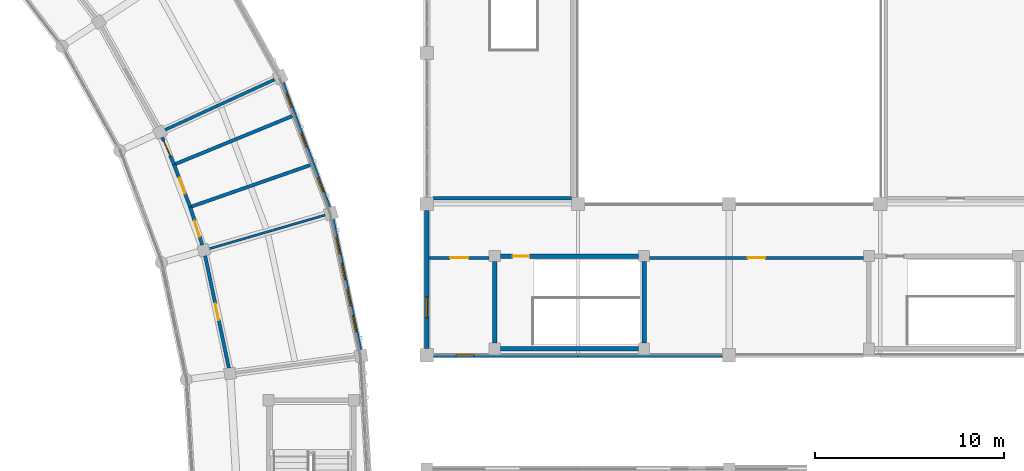
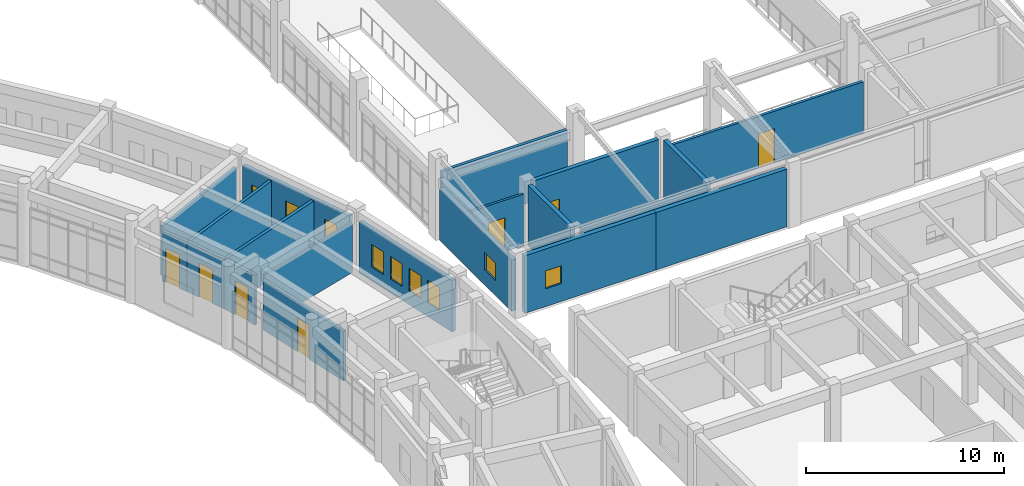
# One storey, part 136 of 159: 20 walls, 9 windows, 7 doors, 16 openings.
"""IFC4 building model written with IfcOpenShell, lengths in metres."""

from ifc_helpers import new_model, si_unit, direction, frame, frame_2d, origin, place, context, subcontext, project, spatial, rectangle, extrude, material, layer, layer_set, type_object, element, fill, save


model = new_model("IFC4")

# Units and contexts
model_context = context("Model", 3, precision=1e-05, world=origin(), true_north=direction((0.0, 1.0)))
body_context = subcontext(model_context, "Body", "Model", "MODEL_VIEW")
ifc_project = project(units=[si_unit("LENGTHUNIT", "METRE"), si_unit("AREAUNIT", "SQUARE_METRE"), si_unit("VOLUMEUNIT", "CUBIC_METRE"), si_unit("PLANEANGLEUNIT", "RADIAN"), si_unit("MASSUNIT", "GRAM", prefix="KILO")], contexts=[model_context])

# Site, building, storey
site_placement = place(None, origin())
site = spatial("IfcSite", under=ifc_project, at=site_placement, CompositionType="ELEMENT")
building_placement = place(site_placement, origin())
building = spatial("IfcBuilding", under=site, at=building_placement, Name="Celadon Cloister-Ring School", CompositionType="ELEMENT")
storey_placement = place(building_placement, frame((0.0, 0.0, 4.5)))
storey = spatial("IfcBuildingStorey", under=building, at=storey_placement, Name="L01", CompositionType="ELEMENT", Elevation=4.5)

# Wall, opening, window
ifc_material_1 = material(Name="Rendered concrete blockwork", Category="masonry")
ifc_layer_1 = layer(ifc_material_1, 0.260009765625)
ifc_layer_set_1 = layer_set([ifc_layer_1], Name="Rendered concrete blockwork")
wall_type_1 = type_object("IfcWallType", Name="WT-EX2", PredefinedType="SOLIDWALL", material=ifc_layer_set_1)
wall_1_placement = place(storey_placement, frame((150.0, 66.0, 0.0), z_axis=(0.0, 0.0, 1.0), x_axis=(-1.0, 0.0, 0.0)))
wall_1 = element("IfcWall", 1, at=wall_1_placement, inside=storey, type_object=wall_type_1, Name="Exterior Wall 0392", PredefinedType="SOLIDWALL", context=body_context, shape_type="SweptSolid", body=[
    extrude(rectangle(XDim=7.64794921875, YDim=0.260009765625, at=frame_2d((3.823974609375, 0.0))), origin(), (0.0, 0.0, 1.0), 3.550048828125),
])
opening_1_placement = place(wall_1_placement, frame((5.489990234375, 0.0, 1.10009765625)))
opening_1 = element("IfcOpeningElement", 2, at=opening_1_placement, cuts=wall_1, Name="Opening WN-02", PredefinedType="OPENING", context=body_context, shape_type="SweptSolid", body=[
    extrude(rectangle(XDim=0.949951171875, YDim=1.10009765625, at=frame_2d((0.47509765625, 0.550048828125))), frame((0.0, 0.14013671875, 0.0), z_axis=(0.0, -1.0, 0.0), x_axis=(1.0, 0.0, 0.0)), (0.0, 0.0, 1.0), 0.280029296875),
])
ifc_material_2 = material(Name="Tempered laminated insulating glass", Category="glass")
window_type_1 = type_object("IfcWindowType", Name="WN-02", PartitioningType="SINGLE_PANEL", PredefinedType="WINDOW", material=ifc_material_2)
window_1_placement = place(opening_1_placement, origin())
window_1 = element("IfcWindow", 3, at=window_1_placement, inside=storey, type_object=window_type_1, Name="Window 0950", OverallHeight=1.10009765625, OverallWidth=0.949951171875, PartitioningType="SINGLE_PANEL", PredefinedType="WINDOW", context=body_context, shape_type="SweptSolid", body=[
    extrude(rectangle(XDim=0.949951171875, YDim=1.10009765625, at=frame_2d((0.47509765625, 0.550048828125))), frame((0.0, 0.030029296875, 0.0), z_axis=(0.0, -1.0, 0.0), x_axis=(1.0, 0.0, 0.0)), (0.0, 0.0, 1.0), 0.06005859375),
])
fill(opening_1, window_1)

# Wall
wall_2_placement = place(storey_placement, frame((157.64794921875, 66.0, 0.0), z_axis=(0.0, 0.0, 1.0), x_axis=(-1.0, 0.0, 0.0)))
element("IfcWall", 4, at=wall_2_placement, inside=storey, type_object=wall_type_1, Name="Exterior Wall 0393", PredefinedType="SOLIDWALL", context=body_context, shape_type="SweptSolid", body=[
    extrude(rectangle(XDim=7.64794921875, YDim=0.260009765625, at=frame_2d((3.823974609375, 0.0))), origin(), (0.0, 0.0, 1.0), 3.550048828125),
])

# Wall, opening, window
wall_3_placement = place(storey_placement, frame((142.0, 66.35205078125, 0.0), z_axis=(0.0, 0.0, 1.0), x_axis=(0.0, 1.0, 0.0)))
wall_3 = element("IfcWall", 5, at=wall_3_placement, inside=storey, type_object=wall_type_1, Name="Exterior Wall 0396", PredefinedType="SOLIDWALL", context=body_context, shape_type="SweptSolid", body=[
    extrude(rectangle(XDim=7.2958984375, YDim=0.260009765625, at=frame_2d((3.64794921875, 0.0))), origin(), (0.0, 0.0, 1.0), 3.172119140625),
])
opening_2_placement = place(wall_3_placement, frame((1.638916015625, 0.0, 0.89990234375)))
opening_2 = element("IfcOpeningElement", 6, at=opening_2_placement, cuts=wall_3, Name="Opening WN-03", PredefinedType="OPENING", context=body_context, shape_type="SweptSolid", body=[
    extrude(rectangle(XDim=1.10009765625, YDim=1.10009765625, at=frame_2d((0.550048828125, 0.550048828125))), frame((0.0, 0.14013671875, 0.0), z_axis=(0.0, -1.0, 0.0), x_axis=(1.0, 0.0, 0.0)), (0.0, 0.0, 1.0), 0.280029296875),
])
ifc_material_3 = material(Name="Tempered laminated insulating glass", Category="glass")
window_type_2 = type_object("IfcWindowType", Name="WN-03", PartitioningType="SINGLE_PANEL", PredefinedType="WINDOW", material=ifc_material_3)
window_2_placement = place(opening_2_placement, origin())
window_2 = element("IfcWindow", 7, at=window_2_placement, inside=storey, type_object=window_type_2, Name="Window 0951", OverallHeight=1.10009765625, OverallWidth=1.10009765625, PartitioningType="SINGLE_PANEL", PredefinedType="WINDOW", context=body_context, shape_type="SweptSolid", body=[
    extrude(rectangle(XDim=1.10009765625, YDim=1.10009765625, at=frame_2d((0.550048828125, 0.550048828125))), frame((0.0, 0.030029296875, 0.0), z_axis=(0.0, -1.0, 0.0), x_axis=(1.0, 0.0, 0.0)), (0.0, 0.0, 1.0), 0.06005859375),
])
fill(opening_2, window_2)

# Wall, openings, windows
ifc_material_4 = material(Name="Perforated terracotta clay brick masonry", Category="masonry")
ifc_layer_2 = layer(ifc_material_4, 0.219970703125)
ifc_layer_set_2 = layer_set([ifc_layer_2], Name="Perforated terracotta clay brick masonry")
wall_type_2 = type_object("IfcWallType", Name="WT-EX4", PredefinedType="SOLIDWALL", material=ifc_layer_set_2)
wall_4_placement = place(storey_placement, frame((137.0048828125, 73.178955078125, 0.0), z_axis=(0.0, 0.0, 1.0), x_axis=(0.207081302077, -0.978323736976, 0.0)))
wall_4 = element("IfcWall", 8, at=wall_4_placement, inside=storey, type_object=wall_type_2, Name="Exterior Wall 0092", PredefinedType="SOLIDWALL", context=body_context, shape_type="SweptSolid", body=[
    extrude(rectangle(XDim=7.03125, YDim=0.219970703125, at=frame_2d((3.515625, 0.0))), origin(), (0.0, 0.0, 1.0), 3.172119140625),
])
opening_3_placement = place(wall_4_placement, frame((0.9560546875, 0.0, 0.85009765625)))
opening_3 = element("IfcOpeningElement", 9, at=opening_3_placement, cuts=wall_4, Name="Opening WN-21", PredefinedType="OPENING", context=body_context, shape_type="SweptSolid", body=[
    extrude(rectangle(XDim=0.89990234375, YDim=1.39990234375, at=frame_2d((0.449951171875, 0.699951171875))), frame((0.0, 0.1201171875, 0.0), z_axis=(0.0, -1.0, 0.0), x_axis=(1.0, 0.0, 0.0)), (0.0, 0.0, 1.0), 0.239990234375),
])
opening_4_placement = place(wall_4_placement, frame((2.363037109375, 0.0, 0.85009765625)))
opening_4 = element("IfcOpeningElement", 10, at=opening_4_placement, cuts=wall_4, Name="Opening WN-21", PredefinedType="OPENING", context=body_context, shape_type="SweptSolid", body=[
    extrude(rectangle(XDim=0.89990234375, YDim=1.39990234375, at=frame_2d((0.449951171875, 0.699951171875))), frame((0.0, 0.1201171875, 0.0), z_axis=(0.0, -1.0, 0.0), x_axis=(1.0, 0.0, 0.0)), (0.0, 0.0, 1.0), 0.239990234375),
])
opening_5_placement = place(wall_4_placement, frame((3.76904296875, 0.0, 0.85009765625)))
opening_5 = element("IfcOpeningElement", 11, at=opening_5_placement, cuts=wall_4, Name="Opening WN-21", PredefinedType="OPENING", context=body_context, shape_type="SweptSolid", body=[
    extrude(rectangle(XDim=0.89990234375, YDim=1.39990234375, at=frame_2d((0.449951171875, 0.699951171875))), frame((0.0, 0.1201171875, 0.0), z_axis=(0.0, -1.0, 0.0), x_axis=(1.0, 0.0, 0.0)), (0.0, 0.0, 1.0), 0.239990234375),
])
opening_6_placement = place(wall_4_placement, frame((5.175048828125, 0.0, 0.85009765625)))
opening_6 = element("IfcOpeningElement", 12, at=opening_6_placement, cuts=wall_4, Name="Opening WN-21", PredefinedType="OPENING", context=body_context, shape_type="SweptSolid", body=[
    extrude(rectangle(XDim=0.89990234375, YDim=1.39990234375, at=frame_2d((0.449951171875, 0.699951171875))), frame((0.0, 0.1201171875, 0.0), z_axis=(0.0, -1.0, 0.0), x_axis=(1.0, 0.0, 0.0)), (0.0, 0.0, 1.0), 0.239990234375),
])
ifc_material_5 = material(Name="Tempered laminated insulating glass", Category="glass")
window_type_3 = type_object("IfcWindowType", Name="WN-21", PartitioningType="SINGLE_PANEL", PredefinedType="WINDOW", material=ifc_material_5)
window_3_placement = place(opening_3_placement, origin())
window_3 = element("IfcWindow", 13, at=window_3_placement, inside=storey, type_object=window_type_3, Name="Window 0247", OverallHeight=1.39990234375, OverallWidth=0.89990234375, PartitioningType="SINGLE_PANEL", PredefinedType="WINDOW", context=body_context, shape_type="SweptSolid", body=[
    extrude(rectangle(XDim=0.89990234375, YDim=1.39990234375, at=frame_2d((0.449951171875, 0.699951171875))), frame((0.0, 0.030029296875, 0.0), z_axis=(0.0, -1.0, 0.0), x_axis=(1.0, 0.0, 0.0)), (0.0, 0.0, 1.0), 0.06005859375),
])
fill(opening_3, window_3)
window_4_placement = place(opening_4_placement, origin())
window_4 = element("IfcWindow", 14, at=window_4_placement, inside=storey, type_object=window_type_3, Name="Window 0248", OverallHeight=1.39990234375, OverallWidth=0.89990234375, PartitioningType="SINGLE_PANEL", PredefinedType="WINDOW", context=body_context, shape_type="SweptSolid", body=[
    extrude(rectangle(XDim=0.89990234375, YDim=1.39990234375, at=frame_2d((0.449951171875, 0.699951171875))), frame((0.0, 0.030029296875, 0.0), z_axis=(0.0, -1.0, 0.0), x_axis=(1.0, 0.0, 0.0)), (0.0, 0.0, 1.0), 0.06005859375),
])
fill(opening_4, window_4)
window_5_placement = place(opening_5_placement, origin())
window_5 = element("IfcWindow", 15, at=window_5_placement, inside=storey, type_object=window_type_3, Name="Window 0249", OverallHeight=1.39990234375, OverallWidth=0.89990234375, PartitioningType="SINGLE_PANEL", PredefinedType="WINDOW", context=body_context, shape_type="SweptSolid", body=[
    extrude(rectangle(XDim=0.89990234375, YDim=1.39990234375, at=frame_2d((0.449951171875, 0.699951171875))), frame((0.0, 0.030029296875, 0.0), z_axis=(0.0, -1.0, 0.0), x_axis=(1.0, 0.0, 0.0)), (0.0, 0.0, 1.0), 0.06005859375),
])
fill(opening_5, window_5)
window_6_placement = place(opening_6_placement, origin())
window_6 = element("IfcWindow", 16, at=window_6_placement, inside=storey, type_object=window_type_3, Name="Window 0250", OverallHeight=1.39990234375, OverallWidth=0.89990234375, PartitioningType="SINGLE_PANEL", PredefinedType="WINDOW", context=body_context, shape_type="SweptSolid", body=[
    extrude(rectangle(XDim=0.89990234375, YDim=1.39990234375, at=frame_2d((0.449951171875, 0.699951171875))), frame((0.0, 0.030029296875, 0.0), z_axis=(0.0, -1.0, 0.0), x_axis=(1.0, 0.0, 0.0)), (0.0, 0.0, 1.0), 0.06005859375),
])
fill(opening_6, window_6)

wall_5_placement = place(storey_placement, frame((134.361083984375, 80.410888671875, 0.0), z_axis=(0.0, 0.0, 1.0), x_axis=(0.349448583385, -0.936955541939, 0.0)))
wall_5 = element("IfcWall", 17, at=wall_5_placement, inside=storey, type_object=wall_type_2, Name="Exterior Wall 0093", PredefinedType="SOLIDWALL", context=body_context, shape_type="SweptSolid", body=[
    extrude(rectangle(XDim=7.03125, YDim=0.219970703125, at=frame_2d((3.515625, 0.0))), origin(), (0.0, 0.0, 1.0), 3.172119140625),
])
opening_7_placement = place(wall_5_placement, frame((0.583984375, 0.0, 1.14990234375)))
opening_7 = element("IfcOpeningElement", 18, at=opening_7_placement, cuts=wall_5, Name="Opening WN-01", PredefinedType="OPENING", context=body_context, shape_type="SweptSolid", body=[
    extrude(rectangle(XDim=0.800048828125, YDim=1.10009765625, at=frame_2d((0.39990234375, 0.550048828125))), frame((0.0, 0.1201171875, 0.0), z_axis=(0.0, -1.0, 0.0), x_axis=(1.0, 0.0, 0.0)), (0.0, 0.0, 1.0), 0.239990234375),
])
opening_8_placement = place(wall_5_placement, frame((2.833984375, 0.0, 1.14990234375)))
opening_8 = element("IfcOpeningElement", 19, at=opening_8_placement, cuts=wall_5, Name="Opening WN-01", PredefinedType="OPENING", context=body_context, shape_type="SweptSolid", body=[
    extrude(rectangle(XDim=0.800048828125, YDim=1.10009765625, at=frame_2d((0.39990234375, 0.550048828125))), frame((0.0, 0.1201171875, 0.0), z_axis=(0.0, -1.0, 0.0), x_axis=(1.0, 0.0, 0.0)), (0.0, 0.0, 1.0), 0.239990234375),
])
opening_9_placement = place(wall_5_placement, frame((5.365966796875, 0.0, 1.14990234375)))
opening_9 = element("IfcOpeningElement", 20, at=opening_9_placement, cuts=wall_5, Name="Opening WN-01", PredefinedType="OPENING", context=body_context, shape_type="SweptSolid", body=[
    extrude(rectangle(XDim=0.800048828125, YDim=1.10009765625, at=frame_2d((0.39990234375, 0.550048828125))), frame((0.0, 0.1201171875, 0.0), z_axis=(0.0, -1.0, 0.0), x_axis=(1.0, 0.0, 0.0)), (0.0, 0.0, 1.0), 0.239990234375),
])
ifc_material_6 = material(Name="Tempered laminated insulating glass", Category="glass")
window_type_4 = type_object("IfcWindowType", Name="WN-01", PartitioningType="SINGLE_PANEL", PredefinedType="WINDOW", material=ifc_material_6)
window_7_placement = place(opening_7_placement, origin())
window_7 = element("IfcWindow", 21, at=window_7_placement, inside=storey, type_object=window_type_4, Name="Window 0251", OverallHeight=1.10009765625, OverallWidth=0.800048828125, PartitioningType="SINGLE_PANEL", PredefinedType="WINDOW", context=body_context, shape_type="SweptSolid", body=[
    extrude(rectangle(XDim=0.800048828125, YDim=1.10009765625, at=frame_2d((0.39990234375, 0.550048828125))), frame((0.0, 0.030029296875, 0.0), z_axis=(0.0, -1.0, 0.0), x_axis=(1.0, 0.0, 0.0)), (0.0, 0.0, 1.0), 0.06005859375),
])
fill(opening_7, window_7)
window_8_placement = place(opening_8_placement, origin())
window_8 = element("IfcWindow", 22, at=window_8_placement, inside=storey, type_object=window_type_4, Name="Window 0252", OverallHeight=1.10009765625, OverallWidth=0.800048828125, PartitioningType="SINGLE_PANEL", PredefinedType="WINDOW", context=body_context, shape_type="SweptSolid", body=[
    extrude(rectangle(XDim=0.800048828125, YDim=1.10009765625, at=frame_2d((0.39990234375, 0.550048828125))), frame((0.0, 0.030029296875, 0.0), z_axis=(0.0, -1.0, 0.0), x_axis=(1.0, 0.0, 0.0)), (0.0, 0.0, 1.0), 0.06005859375),
])
fill(opening_8, window_8)
window_9_placement = place(opening_9_placement, origin())
window_9 = element("IfcWindow", 23, at=window_9_placement, inside=storey, type_object=window_type_4, Name="Window 0253", OverallHeight=1.10009765625, OverallWidth=0.800048828125, PartitioningType="SINGLE_PANEL", PredefinedType="WINDOW", context=body_context, shape_type="SweptSolid", body=[
    extrude(rectangle(XDim=0.800048828125, YDim=1.10009765625, at=frame_2d((0.39990234375, 0.550048828125))), frame((0.0, 0.030029296875, 0.0), z_axis=(0.0, -1.0, 0.0), x_axis=(1.0, 0.0, 0.0)), (0.0, 0.0, 1.0), 0.06005859375),
])
fill(opening_9, window_9)

# Walls
ifc_material_7 = material(Name="Plastered hollow concrete masonry", Category="masonry")
ifc_layer_3 = layer(ifc_material_7, 0.179931640625)
ifc_layer_set_3 = layer_set([ifc_layer_3], Name="Plastered hollow concrete masonry")
wall_type_3 = type_object("IfcWallType", Name="WT-PT2", PredefinedType="PARTITIONING", material=ifc_layer_set_3)
wall_6_placement = place(storey_placement, frame((129.48193359375, 73.842041015625, 0.0), z_axis=(0.0, 0.0, 1.0), x_axis=(0.944038525113, 0.329835205979, 0.0)))
element("IfcWall", 24, at=wall_6_placement, inside=storey, type_object=wall_type_3, Name="Interior Wall 0504", PredefinedType="PARTITIONING", context=body_context, shape_type="SweptSolid", body=[
    extrude(rectangle(XDim=6.7548828125, YDim=0.179931640625, at=frame_2d((3.37744140625, 0.0))), origin(), (0.0, 0.0, 1.0), 3.072021484375),
])
wall_7_placement = place(storey_placement, frame((128.62890625, 76.087890625, 0.0), z_axis=(0.0, 0.0, 1.0), x_axis=(0.925130635841, 0.379648925494, 0.0)))
element("IfcWall", 25, at=wall_7_placement, inside=storey, type_object=wall_type_3, Name="Interior Wall 0505", PredefinedType="PARTITIONING", context=body_context, shape_type="SweptSolid", body=[
    extrude(rectangle(XDim=6.772216796875, YDim=0.179931640625, at=frame_2d((3.38623046875, 0.0))), origin(), (0.0, 0.0, 1.0), 3.072021484375),
])

# Wall, opening, door
wall_8_placement = place(storey_placement, frame((131.532958984375, 65.318115234375, 0.0), z_axis=(0.0, 0.0, 1.0), x_axis=(-0.206987404473, 0.978343607527, 0.0)))
wall_8 = element("IfcWall", 26, at=wall_8_placement, inside=storey, type_object=wall_type_3, Name="Interior Wall 0529", PredefinedType="PARTITIONING", context=body_context, shape_type="SweptSolid", body=[
    extrude(rectangle(XDim=6.082763671875, YDim=0.179931640625, at=frame_2d((3.04150390625, 0.0))), origin(), (0.0, 0.0, 1.0), 3.072021484375),
])
opening_10_placement = place(wall_8_placement, frame((2.60107421875, 0.0, 0.0)))
opening_10 = element("IfcOpeningElement", 27, at=opening_10_placement, cuts=wall_8, Name="Opening D-0167", PredefinedType="OPENING", context=body_context, shape_type="SweptSolid", body=[
    extrude(rectangle(XDim=0.8798828125, YDim=2.10009765625, at=frame_2d((0.43994140625, 1.050048828125))), frame((0.0, 0.10009765625, 0.0), z_axis=(0.0, -1.0, 0.0), x_axis=(1.0, 0.0, 0.0)), (0.0, 0.0, 1.0), 0.199951171875),
])
ifc_material_8 = material(Name="Solid-core fire-rated hardwood leaf", Category="wood")
door_type_1 = type_object("IfcDoorType", Name="DT-01", OperationType="NOTDEFINED", PredefinedType="DOOR", material=ifc_material_8)
door_1_placement = place(opening_10_placement, origin())
door_1 = element("IfcDoor", 28, at=door_1_placement, inside=storey, type_object=door_type_1, Name="Door D-0167", OperationType="SINGLE_SWING_LEFT", OverallHeight=2.10009765625, OverallWidth=0.8798828125, PredefinedType="DOOR", context=body_context, shape_type="SweptSolid", body=[
    extrude(rectangle(XDim=0.8798828125, YDim=2.10009765625, at=frame_2d((0.43994140625, 1.050048828125))), frame((0.0, 0.02490234375, 0.0), z_axis=(0.0, -1.0, 0.0), x_axis=(1.0, 0.0, 0.0)), (0.0, 0.0, 1.0), 0.050048828125),
])
fill(opening_10, door_1)

wall_9_placement = place(storey_placement, frame((130.1240234375, 71.8330078125, 0.0), z_axis=(0.0, 0.0, 1.0), x_axis=(-0.304431303169, 0.952534294212, 0.0)))
wall_9 = element("IfcWall", 29, at=wall_9_placement, inside=storey, type_object=wall_type_3, Name="Interior Wall 0530", PredefinedType="PARTITIONING", context=body_context, shape_type="SweptSolid", body=[
    extrude(rectangle(XDim=2.109130859375, YDim=0.179931640625, at=frame_2d((1.0546875, 0.0))), origin(), (0.0, 0.0, 1.0), 3.072021484375),
])
opening_11_placement = place(wall_9_placement, frame((0.468994140625, 0.0, 0.0)))
opening_11 = element("IfcOpeningElement", 30, at=opening_11_placement, cuts=wall_9, Name="Opening D-0168", PredefinedType="OPENING", context=body_context, shape_type="SweptSolid", body=[
    extrude(rectangle(XDim=0.8798828125, YDim=2.10009765625, at=frame_2d((0.43994140625, 1.050048828125))), frame((0.0, 0.10009765625, 0.0), z_axis=(0.0, -1.0, 0.0), x_axis=(1.0, 0.0, 0.0)), (0.0, 0.0, 1.0), 0.199951171875),
])
door_2_placement = place(opening_11_placement, origin())
door_2 = element("IfcDoor", 31, at=door_2_placement, inside=storey, type_object=door_type_1, Name="Door D-0168", OperationType="SINGLE_SWING_RIGHT", OverallHeight=2.10009765625, OverallWidth=0.8798828125, PredefinedType="DOOR", context=body_context, shape_type="SweptSolid", body=[
    extrude(rectangle(XDim=0.8798828125, YDim=2.10009765625, at=frame_2d((0.43994140625, 1.050048828125))), frame((0.0, 0.02490234375, 0.0), z_axis=(0.0, -1.0, 0.0), x_axis=(1.0, 0.0, 0.0)), (0.0, 0.0, 1.0), 0.050048828125),
])
fill(opening_11, door_2)

wall_10_placement = place(storey_placement, frame((129.48193359375, 73.842041015625, 0.0), z_axis=(0.0, 0.0, 1.0), x_axis=(-0.35507389875, 0.934838235432, 0.0)))
wall_10 = element("IfcWall", 32, at=wall_10_placement, inside=storey, type_object=wall_type_3, Name="Interior Wall 0531", PredefinedType="PARTITIONING", context=body_context, shape_type="SweptSolid", body=[
    extrude(rectangle(XDim=2.40234375, YDim=0.179931640625, at=frame_2d((1.201171875, 0.0))), origin(), (0.0, 0.0, 1.0), 3.072021484375),
])
opening_12_placement = place(wall_10_placement, frame((0.760986328125, 0.0, 0.0)))
opening_12 = element("IfcOpeningElement", 33, at=opening_12_placement, cuts=wall_10, Name="Opening D-0169", PredefinedType="OPENING", context=body_context, shape_type="SweptSolid", body=[
    extrude(rectangle(XDim=0.8798828125, YDim=2.10009765625, at=frame_2d((0.43994140625, 1.050048828125))), frame((0.0, 0.10009765625, 0.0), z_axis=(0.0, -1.0, 0.0), x_axis=(1.0, 0.0, 0.0)), (0.0, 0.0, 1.0), 0.199951171875),
])
door_3_placement = place(opening_12_placement, origin())
door_3 = element("IfcDoor", 34, at=door_3_placement, inside=storey, type_object=door_type_1, Name="Door D-0169", OperationType="SINGLE_SWING_LEFT", OverallHeight=2.10009765625, OverallWidth=0.8798828125, PredefinedType="DOOR", context=body_context, shape_type="SweptSolid", body=[
    extrude(rectangle(XDim=0.8798828125, YDim=2.10009765625, at=frame_2d((0.43994140625, 1.050048828125))), frame((0.0, 0.02490234375, 0.0), z_axis=(0.0, -1.0, 0.0), x_axis=(1.0, 0.0, 0.0)), (0.0, 0.0, 1.0), 0.050048828125),
])
fill(opening_12, door_3)

wall_11_placement = place(storey_placement, frame((128.62890625, 76.087890625, 0.0), z_axis=(0.0, 0.0, 1.0), x_axis=(-0.399054628418, 0.916927152798, 0.0)))
wall_11 = element("IfcWall", 35, at=wall_11_placement, inside=storey, type_object=wall_type_3, Name="Interior Wall 0532", PredefinedType="PARTITIONING", context=body_context, shape_type="SweptSolid", body=[
    extrude(rectangle(XDim=1.575927734375, YDim=0.179931640625, at=frame_2d((0.7880859375, 0.0))), origin(), (0.0, 0.0, 1.0), 3.072021484375),
])
opening_13_placement = place(wall_11_placement, frame((0.493896484375, 0.0, 0.0)))
opening_13 = element("IfcOpeningElement", 36, at=opening_13_placement, cuts=wall_11, Name="Opening D-0170", PredefinedType="OPENING", context=body_context, shape_type="SweptSolid", body=[
    extrude(rectangle(XDim=0.8798828125, YDim=2.10009765625, at=frame_2d((0.43994140625, 1.050048828125))), frame((0.0, 0.10009765625, 0.0), z_axis=(0.0, -1.0, 0.0), x_axis=(1.0, 0.0, 0.0)), (0.0, 0.0, 1.0), 0.199951171875),
])
door_4_placement = place(opening_13_placement, origin())
door_4 = element("IfcDoor", 37, at=door_4_placement, inside=storey, type_object=door_type_1, Name="Door D-0170", OperationType="SINGLE_SWING_RIGHT", OverallHeight=2.10009765625, OverallWidth=0.8798828125, PredefinedType="DOOR", context=body_context, shape_type="SweptSolid", body=[
    extrude(rectangle(XDim=0.8798828125, YDim=2.10009765625, at=frame_2d((0.43994140625, 1.050048828125))), frame((0.0, 0.02490234375, 0.0), z_axis=(0.0, -1.0, 0.0), x_axis=(1.0, 0.0, 0.0)), (0.0, 0.0, 1.0), 0.050048828125),
])
fill(opening_13, door_4)

# Walls
wall_12_placement = place(storey_placement, frame((149.657958984375, 74.300048828125, 0.0), z_axis=(0.0, 0.0, 1.0), x_axis=(-1.0, 0.0, 0.0)))
element("IfcWall", 38, at=wall_12_placement, inside=storey, type_object=wall_type_3, Name="Interior Wall 0949", PredefinedType="PARTITIONING", context=body_context, shape_type="SweptSolid", body=[
    extrude(rectangle(XDim=7.31591796875, YDim=0.179931640625, at=frame_2d((3.657958984375, 0.0))), origin(), (0.0, 0.0, 1.0), 3.699951171875),
])
ifc_material_9 = material(Name="Plastered hollow concrete masonry", Category="masonry")
ifc_layer_4 = layer(ifc_material_9, 0.159912109375)
ifc_layer_set_4 = layer_set([ifc_layer_4], Name="Plastered hollow concrete masonry")
wall_type_4 = type_object("IfcWallType", Name="WT-PT3", PredefinedType="PARTITIONING", material=ifc_layer_set_4)
wall_13_placement = place(storey_placement, frame((128.14892578125, 77.923095703125, 0.0), z_axis=(0.0, 0.0, 1.0), x_axis=(0.908513073448, 0.41785642914, 0.0)))
element("IfcWall", 39, at=wall_13_placement, inside=storey, type_object=wall_type_4, Name="Interior Wall 0500", PredefinedType="PARTITIONING", context=body_context, shape_type="SweptSolid", body=[
    extrude(rectangle(XDim=6.391845703125, YDim=0.159912109375, at=frame_2d((3.19580078125, 0.0))), origin(), (0.0, 0.0, 1.0), 3.072021484375),
])

# Wall, opening, door
wall_14_placement = place(storey_placement, frame((153.7919921875, 71.14990234375, 0.0), z_axis=(0.0, 0.0, 1.0), x_axis=(1.0, 0.0, 0.0)))
wall_14 = element("IfcWall", 40, at=wall_14_placement, inside=storey, type_object=wall_type_4, Name="Interior Wall 0951", PredefinedType="PARTITIONING", context=body_context, shape_type="SweptSolid", body=[
    extrude(rectangle(XDim=11.31591796875, YDim=0.159912109375, at=frame_2d((5.657958984375, 0.0))), origin(), (0.0, 0.0, 1.0), 3.172119140625),
])
opening_14_placement = place(wall_14_placement, frame((5.197998046875, 0.0, 0.0)))
opening_14 = element("IfcOpeningElement", 41, at=opening_14_placement, cuts=wall_14, Name="Opening D-0344", PredefinedType="OPENING", context=body_context, shape_type="SweptSolid", body=[
    extrude(rectangle(XDim=0.919921875, YDim=2.10009765625, at=frame_2d((0.4599609375, 1.050048828125))), frame((0.0, 0.08984375, 0.0), z_axis=(0.0, -1.0, 0.0), x_axis=(1.0, 0.0, 0.0)), (0.0, 0.0, 1.0), 0.179931640625),
])
ifc_material_10 = material(Name="Solid-core fire-rated hardwood leaf", Category="wood")
door_type_2 = type_object("IfcDoorType", Name="DT-02", OperationType="NOTDEFINED", PredefinedType="DOOR", material=ifc_material_10)
door_5_placement = place(opening_14_placement, origin())
door_5 = element("IfcDoor", 42, at=door_5_placement, inside=storey, type_object=door_type_2, Name="Door D-0344", OperationType="SINGLE_SWING_RIGHT", OverallHeight=2.10009765625, OverallWidth=0.919921875, PredefinedType="DOOR", context=body_context, shape_type="SweptSolid", body=[
    extrude(rectangle(XDim=0.919921875, YDim=2.10009765625, at=frame_2d((0.4599609375, 1.050048828125))), frame((0.0, 0.02490234375, 0.0), z_axis=(0.0, -1.0, 0.0), x_axis=(1.0, 0.0, 0.0)), (0.0, 0.0, 1.0), 0.050048828125),
])
fill(opening_14, door_5)

ifc_material_11 = material(Name="Acoustic mineral-wool drywall partition")
ifc_layer_5 = layer(ifc_material_11, 0.139892578125)
ifc_layer_set_5 = layer_set([ifc_layer_5], Name="Acoustic mineral-wool drywall partition")
wall_type_5 = type_object("IfcWallType", Name="WT-PT4", PredefinedType="PARTITIONING", material=ifc_layer_set_5)
wall_15_placement = place(storey_placement, frame((142.133056640625, 71.14990234375, 0.0), z_axis=(0.0, 0.0, 1.0), x_axis=(1.0, 0.0, 0.0)))
wall_15 = element("IfcWall", 43, at=wall_15_placement, inside=storey, type_object=wall_type_5, Name="Interior Wall 0952", PredefinedType="PARTITIONING", context=body_context, shape_type="SweptSolid", body=[
    extrude(rectangle(XDim=3.175048828125, YDim=0.139892578125, at=frame_2d((1.58740234375, 0.0))), origin(), (0.0, 0.0, 1.0), 3.172119140625),
])
opening_15_placement = place(wall_15_placement, frame((1.10693359375, 0.0, 0.0)))
opening_15 = element("IfcOpeningElement", 44, at=opening_15_placement, cuts=wall_15, Name="Opening D-0345", PredefinedType="OPENING", context=body_context, shape_type="SweptSolid", body=[
    extrude(rectangle(XDim=0.9599609375, YDim=2.10009765625, at=frame_2d((0.47998046875, 1.050048828125))), frame((0.0, 0.080078125, 0.0), z_axis=(0.0, -1.0, 0.0), x_axis=(1.0, 0.0, 0.0)), (0.0, 0.0, 1.0), 0.159912109375),
])
ifc_material_12 = material(Name="Solid-core fire-rated hardwood leaf", Category="wood")
door_type_3 = type_object("IfcDoorType", Name="DT-03", OperationType="NOTDEFINED", PredefinedType="DOOR", material=ifc_material_12)
door_6_placement = place(opening_15_placement, origin())
door_6 = element("IfcDoor", 45, at=door_6_placement, inside=storey, type_object=door_type_3, Name="Door D-0345", OperationType="SINGLE_SWING_LEFT", OverallHeight=2.10009765625, OverallWidth=0.9599609375, PredefinedType="DOOR", context=body_context, shape_type="SweptSolid", body=[
    extrude(rectangle(XDim=0.9599609375, YDim=2.10009765625, at=frame_2d((0.47998046875, 1.050048828125))), frame((0.0, 0.02490234375, 0.0), z_axis=(0.0, -1.0, 0.0), x_axis=(1.0, 0.0, 0.0)), (0.0, 0.0, 1.0), 0.050048828125),
])
fill(opening_15, door_6)

# Walls
ifc_material_13 = material(Name="Acoustic mineral-wool drywall partition")
ifc_layer_6 = layer(ifc_material_13, 0.1201171875)
ifc_layer_set_6 = layer_set([ifc_layer_6], Name="Acoustic mineral-wool drywall partition")
wall_type_6 = type_object("IfcWallType", Name="WT-PT5", PredefinedType="PARTITIONING", material=ifc_layer_set_6)
wall_16_placement = place(storey_placement, frame((130.492919921875, 71.635986328125, 0.0), z_axis=(0.0, 0.0, 1.0), x_axis=(0.960267345013, 0.279081755231, 0.0)))
element("IfcWall", 46, at=wall_16_placement, inside=storey, type_object=wall_type_6, Name="Interior Wall 0499", PredefinedType="PARTITIONING", context=body_context, shape_type="SweptSolid", body=[
    extrude(rectangle(XDim=6.39208984375, YDim=0.1201171875, at=frame_2d((3.196044921875, 0.0))), origin(), (0.0, 0.0, 1.0), 3.072021484375),
])
ifc_material_14 = material(Name="Concrete C40/50", Category="concrete")
ifc_layer_7 = layer(ifc_material_14, 0.239990234375)
ifc_layer_set_7 = layer_set([ifc_layer_7], Name="Concrete C40/50")
wall_type_7 = type_object("IfcWallType", Name="WT-SH1", PredefinedType="SHEAR", material=ifc_layer_set_7)
for number, where, z_axis, x_axis, name in (
    (47, (145.60009765625, 66.64208984375, 0.0), (0.0, 0.0, 1.0), (0.0, 1.0, 0.0), "Interior Wall 0117"),
    (48, (153.5, 70.9580078125, 0.0), (0.0, 0.0, 1.0), (0.0, -1.0, 0.0), "Interior Wall 0118"),
):
    element("IfcWall", number, at=place(storey_placement, frame(where, z_axis=z_axis, x_axis=x_axis)), inside=storey, type_object=wall_type_7, Name=name, PredefinedType="SHEAR", context=body_context, shape_type="SweptSolid", body=[
        extrude(rectangle(XDim=4.31591796875, YDim=0.239990234375, at=frame_2d((2.157958984375, 0.0))), origin(), (0.0, 0.0, 1.0), 3.739990234375),
    ])
wall_17_placement = place(storey_placement, frame((153.2080078125, 66.35009765625, 0.0), z_axis=(0.0, 0.0, 1.0), x_axis=(-1.0, 0.0, 0.0)))
element("IfcWall", 49, at=wall_17_placement, inside=storey, type_object=wall_type_7, Name="Interior Wall 0119", PredefinedType="SHEAR", context=body_context, shape_type="SweptSolid", body=[
    extrude(rectangle(XDim=7.31591796875, YDim=0.239990234375, at=frame_2d((3.657958984375, 0.0))), origin(), (0.0, 0.0, 1.0), 3.739990234375),
])

# Wall, opening, door
wall_18_placement = place(storey_placement, frame((153.2080078125, 71.25, 0.0), z_axis=(0.0, 0.0, 1.0), x_axis=(-1.0, 0.0, 0.0)))
wall_18 = element("IfcWall", 50, at=wall_18_placement, inside=storey, type_object=wall_type_7, Name="Interior Wall 0120", PredefinedType="SHEAR", context=body_context, shape_type="SweptSolid", body=[
    extrude(rectangle(XDim=7.31591796875, YDim=0.239990234375, at=frame_2d((3.657958984375, 0.0))), origin(), (0.0, 0.0, 1.0), 3.739990234375),
])
opening_16_placement = place(wall_18_placement, frame((5.779052734375, 0.0, 0.0)))
opening_16 = element("IfcOpeningElement", 51, at=opening_16_placement, cuts=wall_18, Name="Opening D-0062", PredefinedType="OPENING", context=body_context, shape_type="SweptSolid", body=[
    extrude(rectangle(XDim=0.8798828125, YDim=2.10009765625, at=frame_2d((0.43994140625, 1.050048828125))), frame((0.0, 0.1298828125, 0.0), z_axis=(0.0, -1.0, 0.0), x_axis=(1.0, 0.0, 0.0)), (0.0, 0.0, 1.0), 0.260009765625),
])
door_7_placement = place(opening_16_placement, origin())
door_7 = element("IfcDoor", 52, at=door_7_placement, inside=storey, type_object=door_type_1, Name="Door D-0062", OperationType="SINGLE_SWING_RIGHT", OverallHeight=2.10009765625, OverallWidth=0.8798828125, PredefinedType="DOOR", context=body_context, shape_type="SweptSolid", body=[
    extrude(rectangle(XDim=0.8798828125, YDim=2.10009765625, at=frame_2d((0.43994140625, 1.050048828125))), frame((0.0, 0.02490234375, 0.0), z_axis=(0.0, -1.0, 0.0), x_axis=(1.0, 0.0, 0.0)), (0.0, 0.0, 1.0), 0.050048828125),
])
fill(opening_16, door_7)

save(model, "model.ifc")
